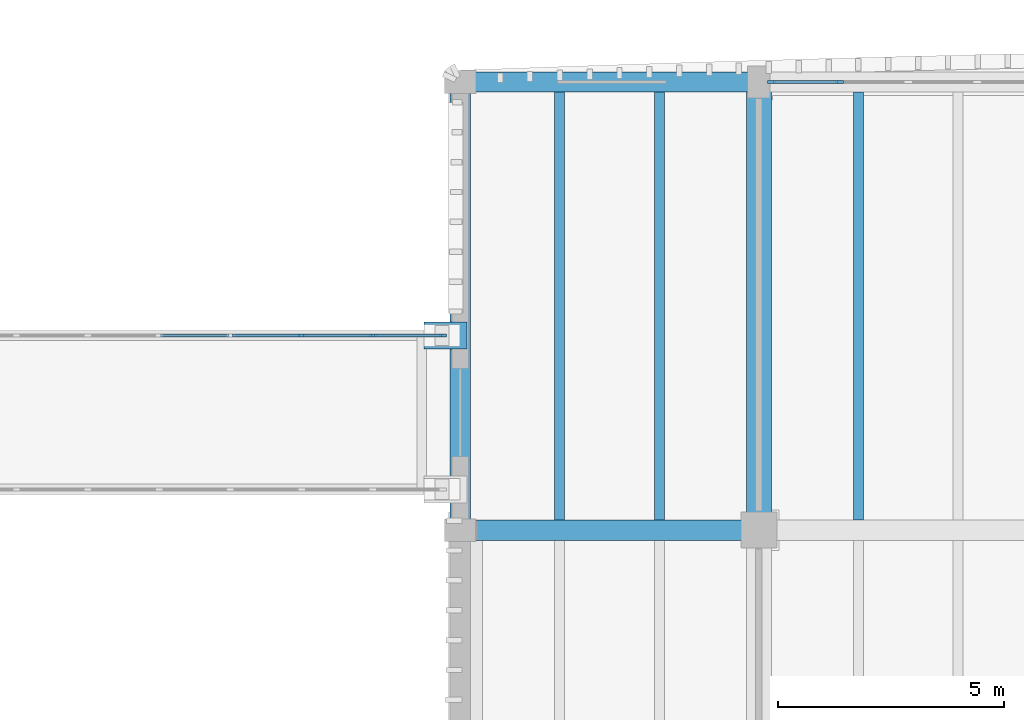
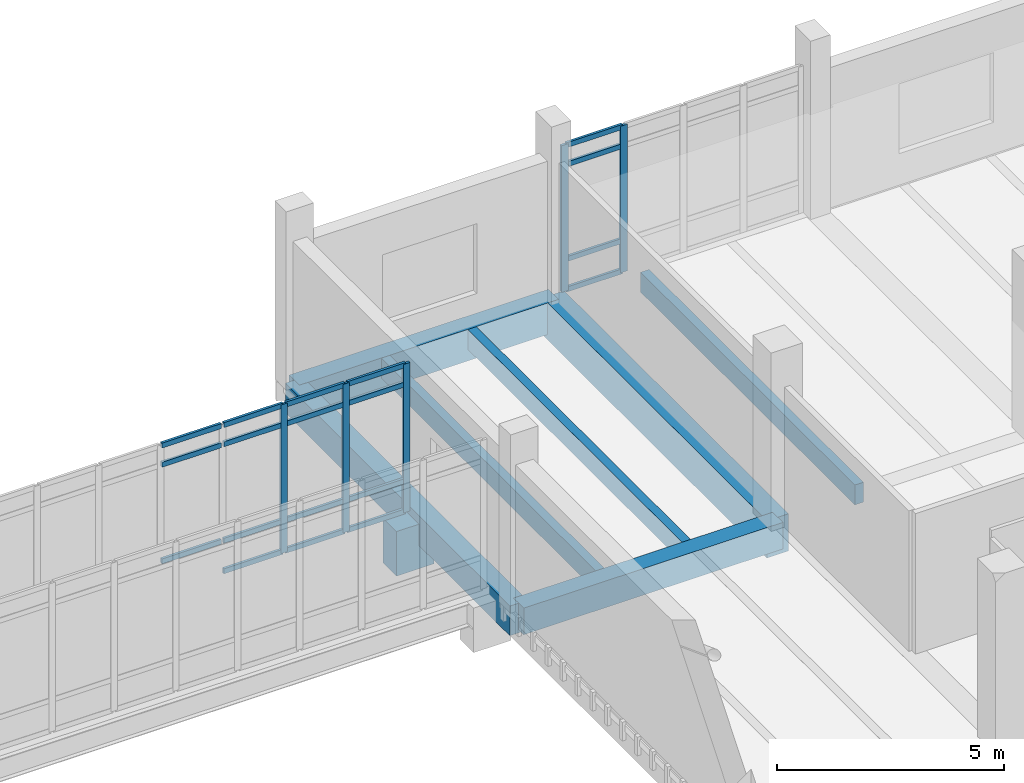
# One storey, part 45 of 125: 24 members, 8 beams, 2 elements without a shape of their own.
"""IFC4 building model written with IfcOpenShell, lengths in metres."""

from ifc_helpers import new_model, si_unit, direction, frame, origin, origin_2d, place, context, subcontext, project, spatial, rectangle, extrude, material, material_profile, profile_set, type_object, element, aggregate, save


model = new_model("IFC4")

# Units and contexts
model_context = context("Model", 3, precision=1e-05, world=origin(), true_north=direction((0.0, 1.0)))
body_context = subcontext(model_context, "Body", "Model", "MODEL_VIEW")
ifc_project = project(units=[si_unit("LENGTHUNIT", "METRE"), si_unit("AREAUNIT", "SQUARE_METRE"), si_unit("VOLUMEUNIT", "CUBIC_METRE"), si_unit("PLANEANGLEUNIT", "RADIAN"), si_unit("MASSUNIT", "GRAM", prefix="KILO")], contexts=[model_context])

# Site, building, storey
site_placement = place(None, origin())
site = spatial("IfcSite", under=ifc_project, at=site_placement, CompositionType="ELEMENT")
building_placement = place(site_placement, origin())
building = spatial("IfcBuilding", under=site, at=building_placement, Name="Dornvale Research Institute", CompositionType="ELEMENT")
storey_placement = place(building_placement, frame((0.0, 0.0, 5.39990234375)))
storey = spatial("IfcBuildingStorey", under=building, at=storey_placement, Name="L01", CompositionType="ELEMENT", Elevation=5.39990234375)

# Beams
ifc_material_1 = material(Name="Concrete f'c 45 MPa (C35/45)", Category="concrete")
ifc_material_profile_1 = material_profile(ifc_material_1, rectangle(XDim=0.449951171875, YDim=0.715087890625, at=origin_2d()), Name="RC 450x715")
ifc_profile_set_1 = profile_set([ifc_material_profile_1], Name="Concrete f'c 45 MPa (C35/45)")
beam_type_1 = type_object("IfcBeamType", Name="Beam_RC450x715_Lab", PredefinedType="BEAM", material=ifc_profile_set_1)
beam_1_placement = place(storey_placement, frame((118.800048828125, 112.199951171875, -0.357421875), z_axis=(1.0, 0.0, 0.0), x_axis=(0.0, 1.0, 0.0)))
element("IfcBeam", 1, at=beam_1_placement, inside=storey, type_object=beam_type_1, Name="L01 primary girder #372", PredefinedType="BEAM", context=body_context, shape_type="SweptSolid", body=[
    extrude(rectangle(XDim=0.449951171875, YDim=0.715087890625, at=origin_2d()), origin(), (0.0, 0.0, 1.0), 6.599853515625),
])
ifc_material_2 = material(Name="Concrete f'c 45 MPa (C35/45)", Category="concrete")
ifc_material_profile_2 = material_profile(ifc_material_2, rectangle(XDim=0.550048828125, YDim=1.0, at=origin_2d()), Name="RC 550x1000")
ifc_profile_set_2 = profile_set([ifc_material_profile_2], Name="Concrete f'c 45 MPa (C35/45)")
beam_type_2 = type_object("IfcBeamType", Name="Beam_RC550x1000_Girder", PredefinedType="BEAM", material=ifc_profile_set_2)
beam_2_placement = place(storey_placement, frame((125.39990234375, 112.199951171875, -0.5), z_axis=(0.0, 1.0, 0.0), x_axis=(-1.0, 0.0, 0.0)))
element("IfcBeam", 2, at=beam_2_placement, inside=storey, type_object=beam_type_2, Name="L01 transverse girder #394", PredefinedType="BEAM", context=body_context, shape_type="SweptSolid", body=[
    extrude(rectangle(XDim=0.550048828125, YDim=1.0, at=origin_2d()), origin(), (0.0, 0.0, 1.0), 9.900146484375),
])
ifc_material_3 = material(Name="Concrete f'c 45 MPa (C35/45)", Category="concrete")
ifc_material_profile_3 = material_profile(ifc_material_3, rectangle(XDim=0.219970703125, YDim=0.534912109375, at=origin_2d()), Name="RC 220x535")
ifc_profile_set_3 = profile_set([ifc_material_profile_3], Name="Concrete f'c 45 MPa (C35/45)")
beam_type_3 = type_object("IfcBeamType", Name="Joist_RC220x535_Waffle", PredefinedType="JOIST", material=ifc_profile_set_3)
for number, where, z_axis, x_axis, name in (
    (3, (121.0, 112.425048828125, -0.267333984375), (0.0, 1.0, 0.0), (-1.0, 0.0, 0.0), "L01 laboratory waffle joist #178"),
    (4, (123.199951171875, 112.425048828125, -0.267333984375), (0.0, 1.0, 0.0), (-1.0, 0.0, 0.0), "L01 laboratory waffle joist #179"),
    (5, (127.60009765625, 112.425048828125, -0.267333984375), (0.0, 1.0, 0.0), (-1.0, 0.0, 0.0), "L01 laboratory waffle joist #182"),
):
    element("IfcBeam", number, at=place(storey_placement, frame(where, z_axis=z_axis, x_axis=x_axis)), inside=storey, type_object=beam_type_3, Name=name, PredefinedType="JOIST", context=body_context, shape_type="SweptSolid", body=[
        extrude(rectangle(XDim=0.219970703125, YDim=0.534912109375, at=origin_2d()), origin(), (0.0, 0.0, 1.0), 9.449951171875),
    ])

# Curtain wall, members
ifc_material_4 = material(Name="Low-E Argon Double Insulating Glazing Unit", Category="glass")
curtain_wall_type_1 = type_object("IfcCurtainWallType", Name="UnitisedCurtainWall_V2_12600x4000", PredefinedType="USERDEFINED", material=ifc_material_4)
curtain_wall_1_placement = place(storey_placement, origin())
curtain_wall_1 = element("IfcCurtainWall", 6, at=curtain_wall_1_placement, inside=storey, type_object=curtain_wall_type_1, Name="L01 V2 unitised curtain wall CW-41 #221", ObjectType="UNITISED CURTAIN WALL", PredefinedType="USERDEFINED")
ifc_material_5 = material(Name="Anodized Aluminum AA 6063-T6 Thermally Broken Frame", Category="aluminium")
ifc_material_profile_4 = material_profile(ifc_material_5, rectangle(XDim=0.06494140625, YDim=0.1650390625, at=origin_2d()), Name="ALU MULLION 65x165")
ifc_profile_set_4 = profile_set([ifc_material_profile_4], Name="Anodized Aluminum AA 6063-T6 Thermally Broken Frame")
member_type_1 = type_object("IfcMemberType", Name="Mullion_Atrium_65x165", PredefinedType="MULLION", material=ifc_profile_set_4)
member_1_placement = place(storey_placement, frame((115.300048828125, 116.5, 0.0), z_axis=(0.0, 0.0, 1.0), x_axis=(0.0, 1.0, 0.0)))
member_1 = element("IfcMember", 7, at=member_1_placement, type_object=member_type_1, Name="CW-41 mullion 7", PredefinedType="MULLION", context=body_context, shape_type="SweptSolid", body=[
    extrude(rectangle(XDim=0.06494140625, YDim=0.1650390625, at=origin_2d()), origin(), (0.0, 0.0, 1.0), 4.0),
])
member_2_placement = place(storey_placement, frame((116.875, 116.5, 0.0), z_axis=(0.0, 0.0, 1.0), x_axis=(0.0, 1.0, 0.0)))
member_2 = element("IfcMember", 8, at=member_2_placement, type_object=member_type_1, Name="CW-41 mullion 8", PredefinedType="MULLION", context=body_context, shape_type="SweptSolid", body=[
    extrude(rectangle(XDim=0.06494140625, YDim=0.1650390625, at=origin_2d()), origin(), (0.0, 0.0, 1.0), 4.0),
])
member_3_placement = place(storey_placement, frame((118.41748046875, 116.5, 0.0), z_axis=(0.0, 0.0, 1.0), x_axis=(0.0, 1.0, 0.0)))
member_3 = element("IfcMember", 9, at=member_3_placement, type_object=member_type_1, Name="CW-41 mullion 9", PredefinedType="MULLION", context=body_context, shape_type="SweptSolid", body=[
    extrude(rectangle(XDim=0.06494140625, YDim=0.1650390625, at=origin_2d()), origin(), (0.0, 0.0, 1.0), 4.0),
])

ifc_material_6 = material(Name="Low-E Argon Double Insulating Glazing Unit", Category="glass")
curtain_wall_type_2 = type_object("IfcCurtainWallType", Name="UnitisedCurtainWall_V4_6100x3950", PredefinedType="USERDEFINED", material=ifc_material_6)
curtain_wall_2_placement = place(storey_placement, origin())
curtain_wall_2 = element("IfcCurtainWall", 10, at=curtain_wall_2_placement, inside=storey, type_object=curtain_wall_type_2, Name="L01 V4 unitised curtain wall CW-11 #73", ObjectType="UNITISED CURTAIN WALL", PredefinedType="USERDEFINED")
ifc_material_7 = material(Name="Anodized Aluminum AA 6063-T6 Thermally Broken Frame", Category="aluminium")
ifc_material_profile_5 = material_profile(ifc_material_7, rectangle(XDim=0.06494140625, YDim=0.179931640625, at=origin_2d()), Name="ALU MULLION 65x180")
ifc_profile_set_5 = profile_set([ifc_material_profile_5], Name="Anodized Aluminum AA 6063-T6 Thermally Broken Frame")
member_type_2 = type_object("IfcMemberType", Name="Mullion_CW_65x180", PredefinedType="MULLION", material=ifc_profile_set_5)
member_4_placement = place(storey_placement, frame((125.6826171875, 122.10009765625, 0.0), z_axis=(0.0, 0.0, 1.0), x_axis=(0.0, 1.0, 0.0)))
member_4 = element("IfcMember", 11, at=member_4_placement, type_object=member_type_2, Name="CW-11 mullion 1", PredefinedType="MULLION", context=body_context, shape_type="SweptSolid", body=[
    extrude(rectangle(XDim=0.06494140625, YDim=0.179931640625, at=origin_2d()), origin(), (0.0, 0.0, 1.0), 3.9501953125),
])
member_5_placement = place(storey_placement, frame((127.175048828125, 122.10009765625, 0.0), z_axis=(0.0, 0.0, 1.0), x_axis=(0.0, 1.0, 0.0)))
member_5 = element("IfcMember", 12, at=member_5_placement, type_object=member_type_2, Name="CW-11 mullion 2", PredefinedType="MULLION", context=body_context, shape_type="SweptSolid", body=[
    extrude(rectangle(XDim=0.06494140625, YDim=0.179931640625, at=origin_2d()), origin(), (0.0, 0.0, 1.0), 3.9501953125),
])

# Beams
ifc_material_8 = material(Name="Concrete f'c 45 MPa (C35/45)", Category="concrete")
ifc_material_profile_6 = material_profile(ifc_material_8, rectangle(XDim=0.449951171875, YDim=0.800048828125, at=origin_2d()), Name="RC 450x800")
ifc_profile_set_6 = profile_set([ifc_material_profile_6], Name="Concrete f'c 45 MPa (C35/45)")
beam_type_4 = type_object("IfcBeamType", Name="Spandrel_RC450x800_Ext", PredefinedType="SPANDREL", material=ifc_profile_set_6)
beam_3_placement = place(storey_placement, frame((118.800048828125, 112.199951171875, -0.39990234375), z_axis=(0.0, 1.0, 0.0), x_axis=(-1.0, 0.0, 0.0)))
element("IfcBeam", 13, at=beam_3_placement, inside=storey, type_object=beam_type_4, Name="L01 perimeter spandrel #392", PredefinedType="SPANDREL", context=body_context, shape_type="SweptSolid", body=[
    extrude(rectangle(XDim=0.449951171875, YDim=0.800048828125, at=origin_2d()), origin(), (0.0, 0.0, 1.0), 9.900146484375),
])
ifc_material_9 = material(Name="Concrete f'c 45 MPa (C35/45)", Category="concrete")
ifc_material_profile_7 = material_profile(ifc_material_9, rectangle(XDim=0.449951171875, YDim=0.85009765625, at=origin_2d()), Name="RC 450x850")
ifc_profile_set_7 = profile_set([ifc_material_profile_7], Name="Concrete f'c 45 MPa (C35/45)")
beam_type_5 = type_object("IfcBeamType", Name="Spandrel_RC450x850_Ext", PredefinedType="SPANDREL", material=ifc_profile_set_7)
beam_4_placement = place(storey_placement, frame((118.800048828125, 122.10009765625, -0.4248046875), z_axis=(1.0, 0.0, 0.0), x_axis=(0.0, 1.0, 0.0)))
element("IfcBeam", 14, at=beam_4_placement, inside=storey, type_object=beam_type_5, Name="L01 perimeter spandrel #381", PredefinedType="SPANDREL", context=body_context, shape_type="SweptSolid", body=[
    extrude(rectangle(XDim=0.449951171875, YDim=0.85009765625, at=origin_2d()), origin(), (0.0, 0.0, 1.0), 6.599853515625),
])
ifc_material_10 = material(Name="Concrete f'c 50 MPa (C40/50)", Category="concrete")
ifc_material_profile_8 = material_profile(ifc_material_10, rectangle(XDim=0.60009765625, YDim=1.199951171875, at=origin_2d()), Name="RC 600x1200")
ifc_profile_set_8 = profile_set([ifc_material_profile_8], Name="Concrete f'c 50 MPa (C40/50)")
beam_type_6 = type_object("IfcBeamType", Name="TBeam_RC600x1200_Tie", PredefinedType="T_BEAM", material=ifc_profile_set_8)
beam_5_placement = place(storey_placement, frame((118.0, 116.5, -0.81982421875), z_axis=(1.0, 0.0, 0.0), x_axis=(0.0, 1.0, 0.0)))
element("IfcBeam", 15, at=beam_5_placement, inside=storey, type_object=beam_type_6, Name="L01 BR-5 800mm sliding corbel seat #2026", PredefinedType="T_BEAM", context=body_context, shape_type="SweptSolid", body=[
    extrude(rectangle(XDim=0.60009765625, YDim=1.199951171875, at=origin_2d()), origin(), (0.0, 0.0, 1.0), 0.949951171875),
])

# Member
ifc_material_11 = material(Name="Anodized Aluminum AA 6063-T6 Thermally Broken Frame", Category="aluminium")
ifc_material_profile_9 = material_profile(ifc_material_11, rectangle(XDim=0.06494140625, YDim=0.135009765625, at=origin_2d()), Name="ALU TRANSOM 65x135")
ifc_profile_set_9 = profile_set([ifc_material_profile_9], Name="Anodized Aluminum AA 6063-T6 Thermally Broken Frame")
member_type_3 = type_object("IfcMemberType", Name="Transom_CW_65x135", PredefinedType="USERDEFINED", material=ifc_profile_set_9)
member_6_placement = place(storey_placement, frame((125.715087890625, 122.10009765625, 0.03271484375), z_axis=(1.0, 0.0, 0.0), x_axis=(0.0, 1.0, 0.0)))
member_6 = element("IfcMember", 16, at=member_6_placement, type_object=member_type_3, Name="CW-11 transom 1.1", ObjectType="TRANSOM", PredefinedType="USERDEFINED", context=body_context, shape_type="SweptSolid", body=[
    extrude(rectangle(XDim=0.06494140625, YDim=0.135009765625, at=origin_2d()), origin(), (0.0, 0.0, 1.0), 1.427490234375),
])

member_7_placement = place(storey_placement, frame((125.715087890625, 122.10009765625, 0.85009765625), z_axis=(1.0, 0.0, 0.0), x_axis=(0.0, 1.0, 0.0)))
member_7 = element("IfcMember", 17, at=member_7_placement, type_object=member_type_3, Name="CW-11 transom 1.2", ObjectType="TRANSOM", PredefinedType="USERDEFINED", context=body_context, shape_type="SweptSolid", body=[
    extrude(rectangle(XDim=0.06494140625, YDim=0.135009765625, at=origin_2d()), origin(), (0.0, 0.0, 1.0), 1.427490234375),
])

member_8_placement = place(storey_placement, frame((125.715087890625, 122.10009765625, 3.400146484375), z_axis=(1.0, 0.0, 0.0), x_axis=(0.0, 1.0, 0.0)))
member_8 = element("IfcMember", 18, at=member_8_placement, type_object=member_type_3, Name="CW-11 transom 1.3", ObjectType="TRANSOM", PredefinedType="USERDEFINED", context=body_context, shape_type="SweptSolid", body=[
    extrude(rectangle(XDim=0.06494140625, YDim=0.135009765625, at=origin_2d()), origin(), (0.0, 0.0, 1.0), 1.427490234375),
])

member_9_placement = place(storey_placement, frame((125.715087890625, 122.10009765625, 3.91748046875), z_axis=(1.0, 0.0, 0.0), x_axis=(0.0, 1.0, 0.0)))
member_9 = element("IfcMember", 19, at=member_9_placement, type_object=member_type_3, Name="CW-11 transom 1.4", ObjectType="TRANSOM", PredefinedType="USERDEFINED", context=body_context, shape_type="SweptSolid", body=[
    extrude(rectangle(XDim=0.06494140625, YDim=0.135009765625, at=origin_2d()), origin(), (0.0, 0.0, 1.0), 1.427490234375),
])

aggregate(curtain_wall_2, [member_4, member_5, member_6, member_7, member_8, member_9])

member_10_placement = place(storey_placement, frame((112.1826171875, 116.5, 0.85009765625), z_axis=(1.0, 0.0, 0.0), x_axis=(0.0, 1.0, 0.0)))
member_10 = element("IfcMember", 20, at=member_10_placement, type_object=member_type_3, Name="CW-41 transom 5.2", ObjectType="TRANSOM", PredefinedType="USERDEFINED", context=body_context, shape_type="SweptSolid", body=[
    extrude(rectangle(XDim=0.06494140625, YDim=0.135009765625, at=origin_2d()), origin(), (0.0, 0.0, 1.0), 1.509765625),
])

member_11_placement = place(storey_placement, frame((112.1826171875, 116.5, 3.4501953125), z_axis=(1.0, 0.0, 0.0), x_axis=(0.0, 1.0, 0.0)))
member_11 = element("IfcMember", 21, at=member_11_placement, type_object=member_type_3, Name="CW-41 transom 5.3", ObjectType="TRANSOM", PredefinedType="USERDEFINED", context=body_context, shape_type="SweptSolid", body=[
    extrude(rectangle(XDim=0.06494140625, YDim=0.135009765625, at=origin_2d()), origin(), (0.0, 0.0, 1.0), 1.509765625),
])

member_12_placement = place(storey_placement, frame((112.1826171875, 116.5, 3.967529296875), z_axis=(1.0, 0.0, 0.0), x_axis=(0.0, 1.0, 0.0)))
member_12 = element("IfcMember", 22, at=member_12_placement, type_object=member_type_3, Name="CW-41 transom 5.4", ObjectType="TRANSOM", PredefinedType="USERDEFINED", context=body_context, shape_type="SweptSolid", body=[
    extrude(rectangle(XDim=0.06494140625, YDim=0.135009765625, at=origin_2d()), origin(), (0.0, 0.0, 1.0), 1.509765625),
])

member_13_placement = place(storey_placement, frame((113.757568359375, 116.5, 0.03271484375), z_axis=(1.0, 0.0, 0.0), x_axis=(0.0, 1.0, 0.0)))
member_13 = element("IfcMember", 23, at=member_13_placement, type_object=member_type_3, Name="CW-41 transom 6.1", ObjectType="TRANSOM", PredefinedType="USERDEFINED", context=body_context, shape_type="SweptSolid", body=[
    extrude(rectangle(XDim=0.06494140625, YDim=0.135009765625, at=origin_2d()), origin(), (0.0, 0.0, 1.0), 1.510009765625),
])

member_14_placement = place(storey_placement, frame((113.757568359375, 116.5, 0.85009765625), z_axis=(1.0, 0.0, 0.0), x_axis=(0.0, 1.0, 0.0)))
member_14 = element("IfcMember", 24, at=member_14_placement, type_object=member_type_3, Name="CW-41 transom 6.2", ObjectType="TRANSOM", PredefinedType="USERDEFINED", context=body_context, shape_type="SweptSolid", body=[
    extrude(rectangle(XDim=0.06494140625, YDim=0.135009765625, at=origin_2d()), origin(), (0.0, 0.0, 1.0), 1.510009765625),
])

member_15_placement = place(storey_placement, frame((113.757568359375, 116.5, 3.4501953125), z_axis=(1.0, 0.0, 0.0), x_axis=(0.0, 1.0, 0.0)))
member_15 = element("IfcMember", 25, at=member_15_placement, type_object=member_type_3, Name="CW-41 transom 6.3", ObjectType="TRANSOM", PredefinedType="USERDEFINED", context=body_context, shape_type="SweptSolid", body=[
    extrude(rectangle(XDim=0.06494140625, YDim=0.135009765625, at=origin_2d()), origin(), (0.0, 0.0, 1.0), 1.510009765625),
])

member_16_placement = place(storey_placement, frame((113.757568359375, 116.5, 3.967529296875), z_axis=(1.0, 0.0, 0.0), x_axis=(0.0, 1.0, 0.0)))
member_16 = element("IfcMember", 26, at=member_16_placement, type_object=member_type_3, Name="CW-41 transom 6.4", ObjectType="TRANSOM", PredefinedType="USERDEFINED", context=body_context, shape_type="SweptSolid", body=[
    extrude(rectangle(XDim=0.06494140625, YDim=0.135009765625, at=origin_2d()), origin(), (0.0, 0.0, 1.0), 1.510009765625),
])

member_17_placement = place(storey_placement, frame((115.33251953125, 116.5, 0.03271484375), z_axis=(1.0, 0.0, 0.0), x_axis=(0.0, 1.0, 0.0)))
member_17 = element("IfcMember", 27, at=member_17_placement, type_object=member_type_3, Name="CW-41 transom 7.1", ObjectType="TRANSOM", PredefinedType="USERDEFINED", context=body_context, shape_type="SweptSolid", body=[
    extrude(rectangle(XDim=0.06494140625, YDim=0.135009765625, at=origin_2d()), origin(), (0.0, 0.0, 1.0), 1.510009765625),
])

member_18_placement = place(storey_placement, frame((115.33251953125, 116.5, 0.85009765625), z_axis=(1.0, 0.0, 0.0), x_axis=(0.0, 1.0, 0.0)))
member_18 = element("IfcMember", 28, at=member_18_placement, type_object=member_type_3, Name="CW-41 transom 7.2", ObjectType="TRANSOM", PredefinedType="USERDEFINED", context=body_context, shape_type="SweptSolid", body=[
    extrude(rectangle(XDim=0.06494140625, YDim=0.135009765625, at=origin_2d()), origin(), (0.0, 0.0, 1.0), 1.510009765625),
])

member_19_placement = place(storey_placement, frame((115.33251953125, 116.5, 3.4501953125), z_axis=(1.0, 0.0, 0.0), x_axis=(0.0, 1.0, 0.0)))
member_19 = element("IfcMember", 29, at=member_19_placement, type_object=member_type_3, Name="CW-41 transom 7.3", ObjectType="TRANSOM", PredefinedType="USERDEFINED", context=body_context, shape_type="SweptSolid", body=[
    extrude(rectangle(XDim=0.06494140625, YDim=0.135009765625, at=origin_2d()), origin(), (0.0, 0.0, 1.0), 1.510009765625),
])

member_20_placement = place(storey_placement, frame((115.33251953125, 116.5, 3.967529296875), z_axis=(1.0, 0.0, 0.0), x_axis=(0.0, 1.0, 0.0)))
member_20 = element("IfcMember", 30, at=member_20_placement, type_object=member_type_3, Name="CW-41 transom 7.4", ObjectType="TRANSOM", PredefinedType="USERDEFINED", context=body_context, shape_type="SweptSolid", body=[
    extrude(rectangle(XDim=0.06494140625, YDim=0.135009765625, at=origin_2d()), origin(), (0.0, 0.0, 1.0), 1.510009765625),
])

member_21_placement = place(storey_placement, frame((116.907470703125, 116.5, 0.03271484375), z_axis=(1.0, 0.0, 0.0), x_axis=(0.0, 1.0, 0.0)))
member_21 = element("IfcMember", 31, at=member_21_placement, type_object=member_type_3, Name="CW-41 transom 8.1", ObjectType="TRANSOM", PredefinedType="USERDEFINED", context=body_context, shape_type="SweptSolid", body=[
    extrude(rectangle(XDim=0.06494140625, YDim=0.135009765625, at=origin_2d()), origin(), (0.0, 0.0, 1.0), 1.4775390625),
])

member_22_placement = place(storey_placement, frame((116.907470703125, 116.5, 0.85009765625), z_axis=(1.0, 0.0, 0.0), x_axis=(0.0, 1.0, 0.0)))
member_22 = element("IfcMember", 32, at=member_22_placement, type_object=member_type_3, Name="CW-41 transom 8.2", ObjectType="TRANSOM", PredefinedType="USERDEFINED", context=body_context, shape_type="SweptSolid", body=[
    extrude(rectangle(XDim=0.06494140625, YDim=0.135009765625, at=origin_2d()), origin(), (0.0, 0.0, 1.0), 1.4775390625),
])

member_23_placement = place(storey_placement, frame((116.907470703125, 116.5, 3.4501953125), z_axis=(1.0, 0.0, 0.0), x_axis=(0.0, 1.0, 0.0)))
member_23 = element("IfcMember", 33, at=member_23_placement, type_object=member_type_3, Name="CW-41 transom 8.3", ObjectType="TRANSOM", PredefinedType="USERDEFINED", context=body_context, shape_type="SweptSolid", body=[
    extrude(rectangle(XDim=0.06494140625, YDim=0.135009765625, at=origin_2d()), origin(), (0.0, 0.0, 1.0), 1.4775390625),
])

member_24_placement = place(storey_placement, frame((116.907470703125, 116.5, 3.967529296875), z_axis=(1.0, 0.0, 0.0), x_axis=(0.0, 1.0, 0.0)))
member_24 = element("IfcMember", 34, at=member_24_placement, type_object=member_type_3, Name="CW-41 transom 8.4", ObjectType="TRANSOM", PredefinedType="USERDEFINED", context=body_context, shape_type="SweptSolid", body=[
    extrude(rectangle(XDim=0.06494140625, YDim=0.135009765625, at=origin_2d()), origin(), (0.0, 0.0, 1.0), 1.4775390625),
])

aggregate(curtain_wall_1, [member_1, member_2, member_3, member_10, member_11, member_12, member_13, member_14, member_15, member_16, member_17, member_18, member_19, member_20, member_21, member_22, member_23, member_24])

save(model, "model.ifc")
